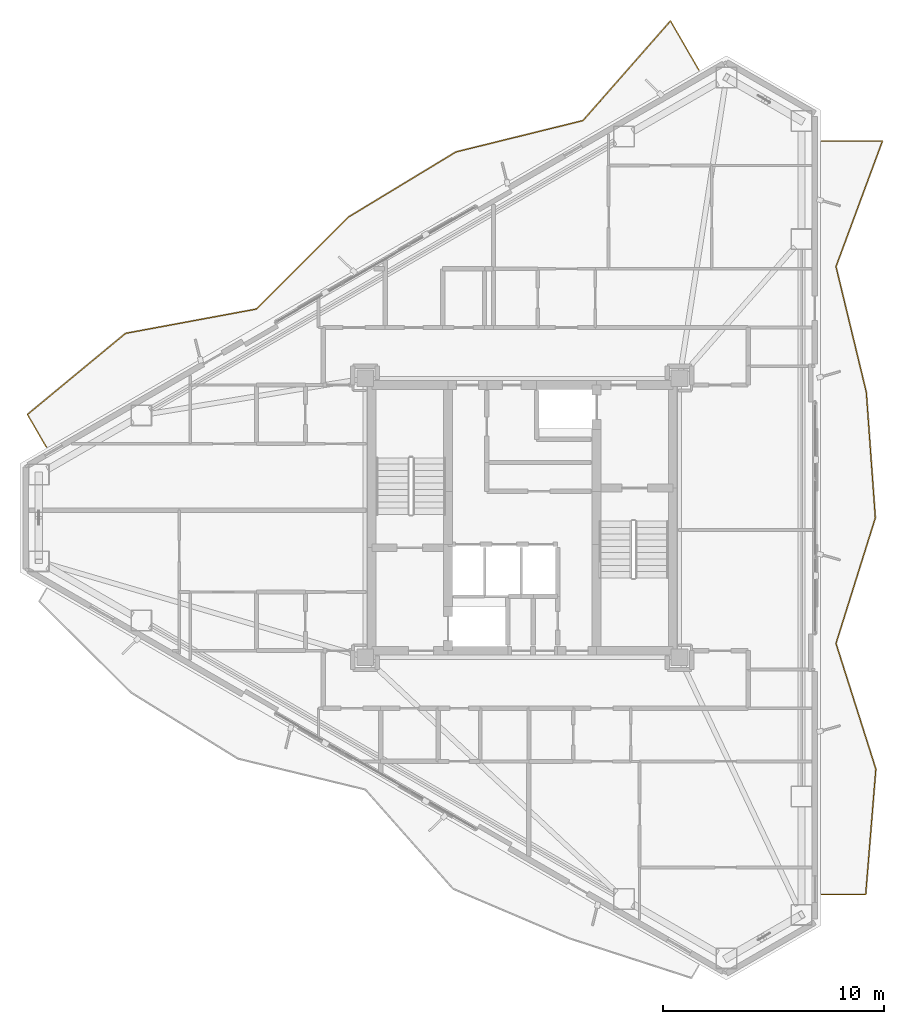
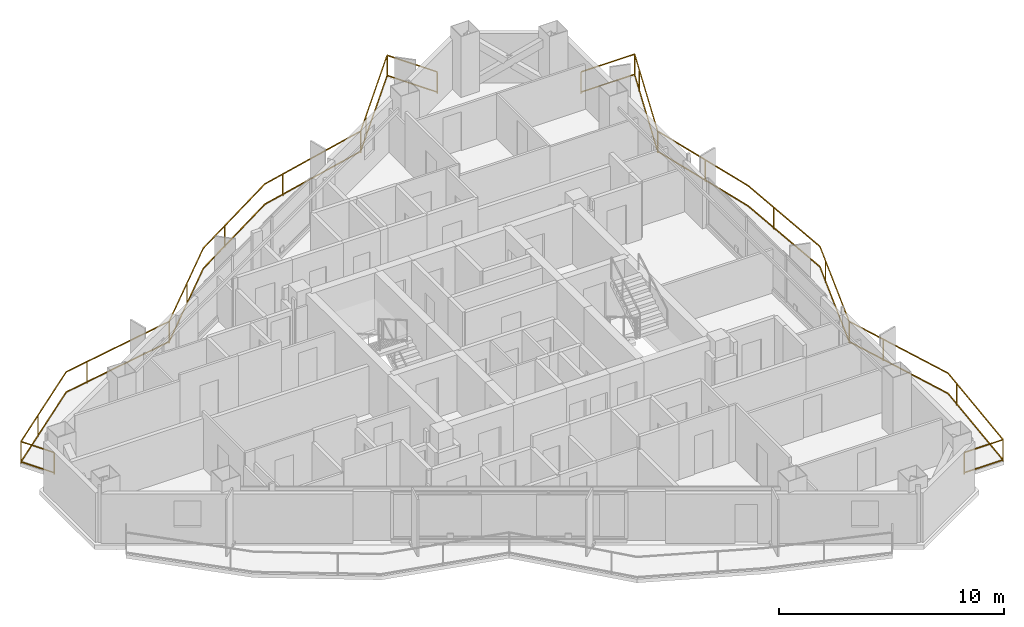
# One storey, part 19 of 19: 2 railings.
"""IFC4 building model written with IfcOpenShell, lengths in metres."""

import ifcopenshell
import ifcopenshell.guid

model = None  # the IFC model being written
_history = None  # IfcOwnerHistory: only IFC2X3 demands one
_inside = {}  # id of a spatial element -> (the spatial element, [elements in it])
_under = {}  # id of a project, library or spatial element -> (it, [spatial elements below it])
_declared = {}  # id of a project -> (the project, [libraries it declares])
_typed = {}  # id of a type object -> (the type object, [elements of that type])
_made_of = {}  # id of a material, layer set ... -> (it, [elements and type objects made of it])


def new_model(schema):
    """Start an empty IFC model of exactly this schema.

    Asked for "IFC4X3", IfcOpenShell would pick the latest addendum, in which some entities
    have other attributes; the version numbers below select the first issue.
    IFC2X3 requires an IfcOwnerHistory on every rooted entity: one is made here for all.
    """
    global model, _history
    if schema == "IFC4X3":
        model = ifcopenshell.file(schema_version=(4, 3, 0, 0))
    else:
        model = ifcopenshell.file(schema=schema)
    _inside.clear()
    _under.clear()
    _declared.clear()
    _typed.clear()
    _made_of.clear()
    _history = None
    if model.schema == "IFC2X3":
        org = make("IfcOrganization", Name="unknown")
        user = make(
            "IfcPersonAndOrganization",
            ThePerson=make("IfcPerson", FamilyName="unknown"),
            TheOrganization=org,
        )
        app = make(
            "IfcApplication",
            ApplicationDeveloper=org,
            Version="unknown",
            ApplicationFullName="unknown",
            ApplicationIdentifier="unknown",
        )
        _history = make(
            "IfcOwnerHistory",
            OwningUser=user,
            OwningApplication=app,
            ChangeAction="ADDED",
            CreationDate=0,
        )
    return model


def make(cls, **values):
    """One entity of the class cls with the attributes given. An attribute that is None is left unset."""
    return model.create_entity(
        cls, **{name: value for name, value in values.items() if value is not None}
    )


def rooted(cls, **values):
    """An entity with a GlobalId (a new one), such as an element, a storey or a relation."""
    return make(cls, GlobalId=ifcopenshell.guid.new(), OwnerHistory=_history, **values)


def si_unit(unit_type, name, prefix=None):
    """IfcSIUnit, for example si_unit("LENGTHUNIT", "METRE", prefix="MILLI")."""
    return make("IfcSIUnit", UnitType=unit_type, Prefix=prefix, Name=name)


def assignment(units):
    """IfcUnitAssignment: the units of a project."""
    return None if units is None else make("IfcUnitAssignment", Units=units)


def point(xyz):
    """IfcCartesianPoint."""
    return None if xyz is None else make("IfcCartesianPoint", Coordinates=xyz)


def direction(xyz):
    """IfcDirection."""
    return None if xyz is None else make("IfcDirection", DirectionRatios=xyz)


def frame(location, z_axis=None, x_axis=None):
    """IfcAxis2Placement3D, a coordinate frame: its origin and axes. An axis left out is left unset."""
    return make(
        "IfcAxis2Placement3D",
        Location=point(location),
        Axis=direction(z_axis),
        RefDirection=direction(x_axis),
    )


def frame_2d(location, x_axis=None):
    """IfcAxis2Placement2D, a coordinate frame in the plane: its origin and x axis."""
    return make(
        "IfcAxis2Placement2D", Location=point(location), RefDirection=direction(x_axis)
    )


def origin():
    """The frame at (0, 0, 0) with its axes left unset."""
    return frame((0.0, 0.0, 0.0))


def origin_2d():
    """The frame at (0, 0) in the plane with its x axis left unset."""
    return frame_2d((0.0, 0.0))


def place(relative_to, where):
    """IfcLocalPlacement: puts the frame where relative to a parent placement (None: the world)."""
    return make(
        "IfcLocalPlacement", PlacementRelTo=relative_to, RelativePlacement=where
    )


def context(
    kind, dimensions, precision=None, world=None, true_north=None, identifier=None
):
    """IfcGeometricRepresentationContext, for example the 3D "Model" context."""
    return make(
        "IfcGeometricRepresentationContext",
        ContextIdentifier=identifier,
        ContextType=kind,
        CoordinateSpaceDimension=dimensions,
        Precision=precision,
        WorldCoordinateSystem=world,
        TrueNorth=true_north,
    )


def subcontext(parent, identifier, kind, view, scale=None):
    """IfcGeometricRepresentationSubContext, for example "Body" below "Model"."""
    return make(
        "IfcGeometricRepresentationSubContext",
        ContextIdentifier=identifier,
        ContextType=kind,
        ParentContext=parent,
        TargetScale=scale,
        TargetView=view,
    )


def project(units=None, contexts=None):
    """IfcProject with its units and contexts."""
    return rooted(
        "IfcProject",
        Name="project",
        RepresentationContexts=contexts,
        UnitsInContext=assignment(units),
    )


def spatial(cls, under=None, at=None, **own):
    """A site, building, storey or space (cls), placed at a placement, below another one or the project."""
    s = rooted(cls, ObjectPlacement=at, **own)
    if under is not None:
        _under.setdefault(under.id(), (under, []))[1].append(s)
    return s


def profile(cls, at=None, kind="AREA", **sizes):
    """A parametric profile (cls). Its sizes go by their IFC names, for example OverallWidth=200.0."""
    return make(cls, ProfileType=kind, Position=at, **sizes)


def rectangle(**sizes):
    """IfcRectangleProfileDef."""
    return profile("IfcRectangleProfileDef", **sizes)


def extrude(swept, where, along, depth):
    """IfcExtrudedAreaSolid: the profile swept, set in the frame where, extruded along a direction by depth."""
    return make(
        "IfcExtrudedAreaSolid",
        SweptArea=swept,
        Position=where,
        ExtrudedDirection=direction(along),
        Depth=depth,
    )


def shape(context_of_items, identifier, shape_type, items):
    """IfcShapeRepresentation: the items that make up one representation, for example the "Body"."""
    return make(
        "IfcShapeRepresentation",
        ContextOfItems=context_of_items,
        RepresentationIdentifier=identifier,
        RepresentationType=shape_type,
        Items=items,
    )


def material(Name=None, Category=None):
    """IfcMaterial."""
    return make("IfcMaterial", Name=Name, Category=Category)


def made_of(thing, what):
    """Note that an element or type object is made of a material, layer set ...; save() writes the relation."""
    if what is not None:
        _made_of.setdefault(what.id(), (what, []))[1].append(thing)
    return thing


def type_object(cls, material=None, **own):
    """A type object (cls), such as IfcWallType, which elements share."""
    return made_of(rooted(cls, **own), material)


def element(
    cls,
    number,
    at=None,
    inside=None,
    cuts=None,
    type_object=None,
    material=None,
    context=None,
    identifier="Body",
    shape_type=None,
    held_by="IfcProductDefinitionShape",
    body=None,
    shapes=None,
    **own,
):
    """One element of the class cls, such as IfcWall. Its Tag is "e" and its number.

    at: its placement. inside: the storey or other place that contains it. cuts: it is an
    opening in that element (IfcRelVoidsElement). A single representation is given by context,
    identifier, shape_type and body (its items); several are given by shapes. held_by: the class
    of the entity that holds the representations. save() writes the other relations.
    """
    e = rooted(cls, Tag="e%d" % number, ObjectPlacement=at, **own)
    if body is not None:
        shapes = [shape(context, identifier, shape_type, body)]
    if shapes is not None:
        e.Representation = make(held_by, Representations=shapes)
    if inside is not None:
        _inside.setdefault(inside.id(), (inside, []))[1].append(e)
    if cuts is not None:
        rooted(
            "IfcRelVoidsElement", RelatingBuildingElement=cuts, RelatedOpeningElement=e
        )
    if type_object is not None:
        _typed.setdefault(type_object.id(), (type_object, []))[1].append(e)
    return made_of(e, material)


def aggregate(whole, parts):
    """IfcRelAggregates: a whole, such as a stair, and the parts it consists of."""
    return rooted("IfcRelAggregates", RelatingObject=whole, RelatedObjects=parts)


def save(model, path):
    """Write the relations noted so far, then the file.

    IfcRelAggregates (storeys below a building ...), IfcRelContainedInSpatialStructure (elements
    in a storey), IfcRelDefinesByType, IfcRelAssociatesMaterial and IfcRelDeclares: one each for
    every whole, place, type object, material and project.
    """
    for whole, parts in _under.values():
        aggregate(whole, parts)
    for where, things in _inside.values():
        rooted(
            "IfcRelContainedInSpatialStructure",
            RelatedElements=things,
            RelatingStructure=where,
        )
    for kind, things in _typed.values():
        rooted("IfcRelDefinesByType", RelatedObjects=things, RelatingType=kind)
    for what, things in _made_of.values():
        rooted("IfcRelAssociatesMaterial", RelatedObjects=things, RelatingMaterial=what)
    for by, libraries in _declared.values():
        rooted("IfcRelDeclares", RelatingContext=by, RelatedDefinitions=libraries)
    model.write(path)


model = new_model("IFC4")

# Units and contexts
model_context = context("Model", 3, precision=1e-05, world=origin(), true_north=direction((0.0, 1.0)))
body_context = subcontext(model_context, "Body", "Model", "MODEL_VIEW")
ifc_project = project(units=[si_unit("LENGTHUNIT", "METRE"), si_unit("AREAUNIT", "SQUARE_METRE"), si_unit("VOLUMEUNIT", "CUBIC_METRE"), si_unit("PLANEANGLEUNIT", "RADIAN"), si_unit("MASSUNIT", "GRAM", prefix="KILO")], contexts=[model_context])

# Site, building, storey
site_placement = place(None, origin())
site = spatial("IfcSite", under=ifc_project, at=site_placement, CompositionType="ELEMENT")
building_placement = place(site_placement, origin())
building = spatial("IfcBuilding", under=site, at=building_placement, Name="Mersakhor Tower and Convention Hall", CompositionType="ELEMENT")
storey_placement = place(building_placement, frame((0.0, 0.0, 144.300048828125)))
storey = spatial("IfcBuildingStorey", under=building, at=storey_placement, Name="L40", CompositionType="ELEMENT", Elevation=144.300048828125)

# Railings
ifc_material = material(Name="Powder-coated galvanised steel and laminated glass balustrade", Category="steel")
railing_type = type_object("IfcRailingType", Name="RL-BAL-1200", PredefinedType="BALUSTRADE", material=ifc_material)
railing_1_placement = place(storey_placement, frame((36.983154296875, 46.969482421875, 0.0)))
element("IfcRailing", 1, at=railing_1_placement, inside=storey, type_object=railing_type, Name="L40 Sinusoidal Balcony Balustrade F1", PredefinedType="BALUSTRADE", context=body_context, shape_type="SweptSolid", body=[
    extrude(rectangle(XDim=0.048095703125, YDim=0.048095703125, at=origin_2d()), frame((0.0, 0.0, 1.17578125), z_axis=(-0.499999159329, 0.866025889145, 0.0), x_axis=(-0.866025889145, -0.499999159329, 0.0)), (0.0, 0.0, 1.0), 2.5712890625),
    extrude(rectangle(XDim=0.048095703125, YDim=0.048095703125, at=origin_2d()), frame((0.0, 0.0, 0.080078125), z_axis=(-0.499999159329, 0.866025889145, 0.0), x_axis=(-0.866025889145, -0.499999159329, 0.0)), (0.0, 0.0, 1.0), 2.5712890625),
    extrude(rectangle(XDim=0.048095703125, YDim=0.048095703125, at=origin_2d()), frame((-1.28564453125, 2.226806640625, 1.17578125), z_axis=(-0.659945964435, -0.751313066588, 0.0), x_axis=(0.751313066588, -0.659945964435, 0.0)), (0.0, 0.0, 1.0), 5.99072265625),
    extrude(rectangle(XDim=0.048095703125, YDim=0.048095703125, at=origin_2d()), frame((-1.28564453125, 2.226806640625, 0.080078125), z_axis=(-0.659945964435, -0.751313066588, 0.0), x_axis=(0.751313066588, -0.659945964435, 0.0)), (0.0, 0.0, 1.0), 5.99072265625),
    extrude(rectangle(XDim=0.048095703125, YDim=0.048095703125, at=origin_2d()), frame((-5.2392578125, -2.274169921875, 1.17578125), z_axis=(-0.970886650072, -0.23953937612, 0.0), x_axis=(0.23953937612, -0.970886650072, 0.0)), (0.0, 0.0, 1.0), 5.9072265625),
    extrude(rectangle(XDim=0.048095703125, YDim=0.048095703125, at=origin_2d()), frame((-5.2392578125, -2.274169921875, 0.080078125), z_axis=(-0.970886650072, -0.23953937612, 0.0), x_axis=(0.23953937612, -0.970886650072, 0.0)), (0.0, 0.0, 1.0), 5.9072265625),
    extrude(rectangle(XDim=0.048095703125, YDim=0.048095703125, at=origin_2d()), frame((-10.974609375, -3.689208984375, 1.17578125), z_axis=(-0.85536014436, -0.518033805307, 0.0), x_axis=(0.518033805307, -0.85536014436, 0.0)), (0.0, 0.0, 1.0), 5.67578125),
    extrude(rectangle(XDim=0.048095703125, YDim=0.048095703125, at=origin_2d()), frame((-10.974609375, -3.689208984375, 0.080078125), z_axis=(-0.85536014436, -0.518033805307, 0.0), x_axis=(0.518033805307, -0.85536014436, 0.0)), (0.0, 0.0, 1.0), 5.67578125),
    extrude(rectangle(XDim=0.048095703125, YDim=0.048095703125, at=origin_2d()), frame((-15.829345703125, -6.62939453125, 1.17578125), z_axis=(-0.706774279375, -0.707439126719, 0.0), x_axis=(0.707439126719, -0.706774279375, 0.0)), (0.0, 0.0, 1.0), 5.87548828125),
    extrude(rectangle(XDim=0.048095703125, YDim=0.048095703125, at=origin_2d()), frame((-15.829345703125, -6.62939453125, 0.080078125), z_axis=(-0.706774279375, -0.707439126719, 0.0), x_axis=(0.707439126719, -0.706774279375, 0.0)), (0.0, 0.0, 1.0), 5.87548828125),
    extrude(rectangle(XDim=0.048095703125, YDim=0.048095703125, at=origin_2d()), frame((-19.98193359375, -10.785888671875, 1.17578125), z_axis=(-0.983209845557, -0.182478490787, 0.0), x_axis=(0.182478490787, -0.983209845557, 0.0)), (0.0, 0.0, 1.0), 6.019287109375),
    extrude(rectangle(XDim=0.048095703125, YDim=0.048095703125, at=origin_2d()), frame((-19.98193359375, -10.785888671875, 0.080078125), z_axis=(-0.983209845557, -0.182478490787, 0.0), x_axis=(0.182478490787, -0.983209845557, 0.0)), (0.0, 0.0, 1.0), 6.019287109375),
    extrude(rectangle(XDim=0.048095703125, YDim=0.048095703125, at=origin_2d()), frame((-25.900146484375, -11.88427734375, 1.17578125), z_axis=(-0.770722595743, -0.637170840836, 0.0), x_axis=(0.637170840836, -0.770722595743, 0.0)), (0.0, 0.0, 1.0), 5.754638671875),
    extrude(rectangle(XDim=0.048095703125, YDim=0.048095703125, at=origin_2d()), frame((-25.900146484375, -11.88427734375, 0.080078125), z_axis=(-0.770722595743, -0.637170840836, 0.0), x_axis=(0.637170840836, -0.770722595743, 0.0)), (0.0, 0.0, 1.0), 5.754638671875),
    extrude(rectangle(XDim=0.048095703125, YDim=0.048095703125, at=origin_2d()), frame((-30.33544921875, -15.551025390625, 1.17578125), z_axis=(0.500062241894, -0.865989465428, 0.0), x_axis=(0.865989465428, 0.500062241894, 0.0)), (0.0, 0.0, 1.0), 1.699951171875),
    extrude(rectangle(XDim=0.048095703125, YDim=0.048095703125, at=origin_2d()), frame((-30.33544921875, -15.551025390625, 0.080078125), z_axis=(0.500062241894, -0.865989465428, 0.0), x_axis=(0.865989465428, 0.500062241894, 0.0)), (0.0, 0.0, 1.0), 1.699951171875),
    extrude(rectangle(XDim=0.0419921875, YDim=0.0419921875, at=origin_2d()), origin(), (0.0, 0.0, 1.0), 1.15185546875),
    extrude(rectangle(XDim=0.0419921875, YDim=0.0419921875, at=origin_2d()), frame((-1.28564453125, 2.226806640625, 0.0)), (0.0, 0.0, 1.0), 1.15185546875),
    extrude(rectangle(XDim=0.0419921875, YDim=0.0419921875, at=origin_2d()), frame((-4.453369140625, -1.37939453125, 0.0)), (0.0, 0.0, 1.0), 1.15185546875),
    extrude(rectangle(XDim=0.0419921875, YDim=0.0419921875, at=origin_2d()), frame((-5.2392578125, -2.274169921875, 0.0)), (0.0, 0.0, 1.0), 1.15185546875),
    extrude(rectangle(XDim=0.0419921875, YDim=0.0419921875, at=origin_2d()), frame((-9.8994140625, -3.424072265625, 0.0)), (0.0, 0.0, 1.0), 1.15185546875),
    extrude(rectangle(XDim=0.0419921875, YDim=0.0419921875, at=origin_2d()), frame((-14.133056640625, -5.60205078125, 0.0)), (0.0, 0.0, 1.0), 1.15185546875),
    extrude(rectangle(XDim=0.0419921875, YDim=0.0419921875, at=origin_2d()), frame((-17.8203125, -8.622314453125, 0.0)), (0.0, 0.0, 1.0), 1.15185546875),
    extrude(rectangle(XDim=0.0419921875, YDim=0.0419921875, at=origin_2d()), frame((-19.98193359375, -10.785888671875, 0.0)), (0.0, 0.0, 1.0), 1.15185546875),
    extrude(rectangle(XDim=0.0419921875, YDim=0.0419921875, at=origin_2d()), frame((-24.701416015625, -11.661865234375, 0.0)), (0.0, 0.0, 1.0), 1.15185546875),
    extrude(rectangle(XDim=0.0419921875, YDim=0.0419921875, at=origin_2d()), frame((-28.659912109375, -14.165771484375, 0.0)), (0.0, 0.0, 1.0), 1.15185546875),
    extrude(rectangle(XDim=0.0419921875, YDim=0.0419921875, at=origin_2d()), frame((-30.33544921875, -15.551025390625, 0.0)), (0.0, 0.0, 1.0), 1.15185546875),
    extrude(rectangle(XDim=0.0419921875, YDim=0.0419921875, at=origin_2d()), frame((-29.4853515625, -17.023193359375, 0.0)), (0.0, 0.0, 1.0), 1.15185546875),
])
railing_2_placement = place(storey_placement, frame((42.519287109375, 9.726806640625, 0.0)))
element("IfcRailing", 2, at=railing_2_placement, inside=storey, type_object=railing_type, Name="L40 Sinusoidal Balcony Balustrade F2", PredefinedType="BALUSTRADE", context=body_context, shape_type="SweptSolid", body=[
    extrude(rectangle(XDim=0.048095703125, YDim=0.048095703125, at=origin_2d()), frame((0.0, 0.0, 1.17578125), z_axis=(1.0, 0.0, 0.0), x_axis=(0.0, 1.0, 0.0)), (0.0, 0.0, 1.0), 1.99169921875),
    extrude(rectangle(XDim=0.048095703125, YDim=0.048095703125, at=origin_2d()), frame((0.0, 0.0, 0.080078125), z_axis=(1.0, 0.0, 0.0), x_axis=(0.0, 1.0, 0.0)), (0.0, 0.0, 1.0), 1.99169921875),
    extrude(rectangle(XDim=0.048095703125, YDim=0.048095703125, at=origin_2d()), frame((1.99169921875, 0.0, 1.17578125), z_axis=(0.080709931304, 0.996737631972, 0.0), x_axis=(-0.996737631972, 0.080709931304, 0.0)), (0.0, 0.0, 1.0), 5.69287109375),
    extrude(rectangle(XDim=0.048095703125, YDim=0.048095703125, at=origin_2d()), frame((1.99169921875, 0.0, 0.080078125), z_axis=(0.080709931304, 0.996737631972, 0.0), x_axis=(-0.996737631972, 0.080709931304, 0.0)), (0.0, 0.0, 1.0), 5.69287109375),
    extrude(rectangle(XDim=0.048095703125, YDim=0.048095703125, at=origin_2d()), frame((2.451171875, 5.67431640625, 1.17578125), z_axis=(-0.302551931758, 0.95313290185, 0.0), x_axis=(-0.95313290185, -0.302551931758, 0.0)), (0.0, 0.0, 1.0), 5.95361328125),
    extrude(rectangle(XDim=0.048095703125, YDim=0.048095703125, at=origin_2d()), frame((2.451171875, 5.67431640625, 0.080078125), z_axis=(-0.302551931758, 0.95313290185, 0.0), x_axis=(-0.95313290185, -0.302551931758, 0.0)), (0.0, 0.0, 1.0), 5.95361328125),
    extrude(rectangle(XDim=0.048095703125, YDim=0.048095703125, at=origin_2d()), frame((0.64990234375, 11.348876953125, 1.17578125), z_axis=(0.298980925701, 0.954259087495, 0.0), x_axis=(-0.954259087495, 0.298980925701, 0.0)), (0.0, 0.0, 1.0), 5.9462890625),
    extrude(rectangle(XDim=0.048095703125, YDim=0.048095703125, at=origin_2d()), frame((0.64990234375, 11.348876953125, 0.080078125), z_axis=(0.298980925701, 0.954259087495, 0.0), x_axis=(-0.954259087495, 0.298980925701, 0.0)), (0.0, 0.0, 1.0), 5.9462890625),
    extrude(rectangle(XDim=0.048095703125, YDim=0.048095703125, at=origin_2d()), frame((2.427734375, 17.023193359375, 1.17578125), z_axis=(-0.071625220139, 0.997431615621, 0.0), x_axis=(-0.997431615621, -0.071625220139, 0.0)), (0.0, 0.0, 1.0), 5.68896484375),
    extrude(rectangle(XDim=0.048095703125, YDim=0.048095703125, at=origin_2d()), frame((2.427734375, 17.023193359375, 0.080078125), z_axis=(-0.071625220139, 0.997431615621, 0.0), x_axis=(-0.997431615621, -0.071625220139, 0.0)), (0.0, 0.0, 1.0), 5.68896484375),
    extrude(rectangle(XDim=0.048095703125, YDim=0.048095703125, at=origin_2d()), frame((2.020263671875, 22.697509765625, 1.17578125), z_axis=(-0.234744098731, 0.972057204135, 0.0), x_axis=(-0.972057204135, -0.234744098731, 0.0)), (0.0, 0.0, 1.0), 5.837646484375),
    extrude(rectangle(XDim=0.048095703125, YDim=0.048095703125, at=origin_2d()), frame((2.020263671875, 22.697509765625, 0.080078125), z_axis=(-0.234744098731, 0.972057204135, 0.0), x_axis=(-0.972057204135, -0.234744098731, 0.0)), (0.0, 0.0, 1.0), 5.837646484375),
    extrude(rectangle(XDim=0.048095703125, YDim=0.048095703125, at=origin_2d()), frame((0.64990234375, 28.3720703125, 1.17578125), z_axis=(0.346776725479, 0.937947707853, 0.0), x_axis=(-0.937947707853, 0.346776725479, 0.0)), (0.0, 0.0, 1.0), 6.0498046875),
    extrude(rectangle(XDim=0.048095703125, YDim=0.048095703125, at=origin_2d()), frame((0.64990234375, 28.3720703125, 0.080078125), z_axis=(0.346776725479, 0.937947707853, 0.0), x_axis=(-0.937947707853, 0.346776725479, 0.0)), (0.0, 0.0, 1.0), 6.0498046875),
    extrude(rectangle(XDim=0.048095703125, YDim=0.048095703125, at=origin_2d()), frame((2.747802734375, 34.04638671875, 1.17578125), z_axis=(-1.0, 0.0, 0.0), x_axis=(0.0, -1.0, 0.0)), (0.0, 0.0, 1.0), 2.747802734375),
    extrude(rectangle(XDim=0.048095703125, YDim=0.048095703125, at=origin_2d()), frame((2.747802734375, 34.04638671875, 0.080078125), z_axis=(-1.0, 0.0, 0.0), x_axis=(0.0, -1.0, 0.0)), (0.0, 0.0, 1.0), 2.747802734375),
    extrude(rectangle(XDim=0.0419921875, YDim=0.0419921875, at=origin_2d()), origin(), (0.0, 0.0, 1.0), 1.15185546875),
    extrude(rectangle(XDim=0.0419921875, YDim=0.0419921875, at=origin_2d()), frame((1.99169921875, 0.0, 0.0)), (0.0, 0.0, 1.0), 1.15185546875),
    extrude(rectangle(XDim=0.0419921875, YDim=0.0419921875, at=origin_2d()), frame((2.379150390625, 4.784423828125, 0.0)), (0.0, 0.0, 1.0), 1.15185546875),
    extrude(rectangle(XDim=0.0419921875, YDim=0.0419921875, at=origin_2d()), frame((1.26904296875, 9.398193359375, 0.0)), (0.0, 0.0, 1.0), 1.15185546875),
    extrude(rectangle(XDim=0.0419921875, YDim=0.0419921875, at=origin_2d()), frame((0.64990234375, 11.348876953125, 0.0)), (0.0, 0.0, 1.0), 1.15185546875),
    extrude(rectangle(XDim=0.0419921875, YDim=0.0419921875, at=origin_2d()), frame((2.0849609375, 15.92919921875, 0.0)), (0.0, 0.0, 1.0), 1.15185546875),
    extrude(rectangle(XDim=0.0419921875, YDim=0.0419921875, at=origin_2d()), frame((2.166015625, 20.66748046875, 0.0)), (0.0, 0.0, 1.0), 1.15185546875),
    extrude(rectangle(XDim=0.0419921875, YDim=0.0419921875, at=origin_2d()), frame((1.371337890625, 25.385009765625, 0.0)), (0.0, 0.0, 1.0), 1.15185546875),
    extrude(rectangle(XDim=0.0419921875, YDim=0.0419921875, at=origin_2d()), frame((0.64990234375, 28.3720703125, 0.0)), (0.0, 0.0, 1.0), 1.15185546875),
    extrude(rectangle(XDim=0.0419921875, YDim=0.0419921875, at=origin_2d()), frame((2.314453125, 32.874267578125, 0.0)), (0.0, 0.0, 1.0), 1.15185546875),
    extrude(rectangle(XDim=0.0419921875, YDim=0.0419921875, at=origin_2d()), frame((2.747802734375, 34.04638671875, 0.0)), (0.0, 0.0, 1.0), 1.15185546875),
    extrude(rectangle(XDim=0.0419921875, YDim=0.0419921875, at=origin_2d()), frame((0.0, 34.04638671875, 0.0)), (0.0, 0.0, 1.0), 1.15185546875),
])

save(model, "model.ifc")
